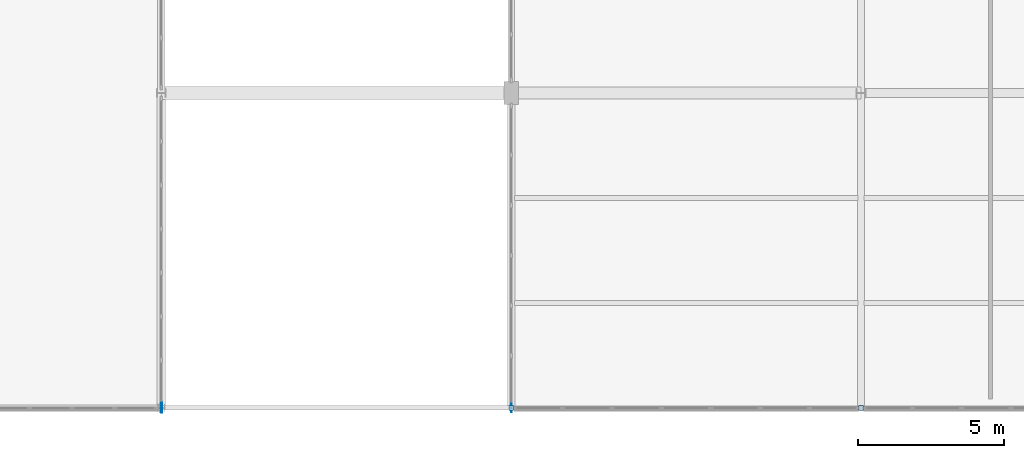
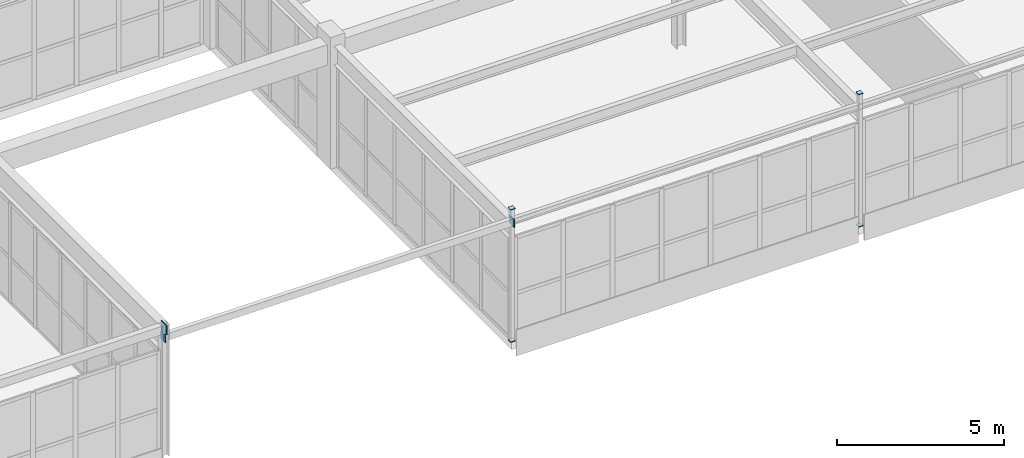
# One storey, part 145 of 186: 7 plates.
"""IFC4 building model written with IfcOpenShell, lengths in metres."""

from ifc_helpers import new_model, si_unit, direction, frame, origin, origin_2d, place, context, subcontext, project, spatial, rectangle, extrude, material, layer, layer_set, type_object, element, save


model = new_model("IFC4")

# Units and contexts
model_context = context("Model", 3, precision=1e-05, world=origin(), true_north=direction((0.0, 1.0)))
body_context = subcontext(model_context, "Body", "Model", "MODEL_VIEW")
ifc_project = project(units=[si_unit("LENGTHUNIT", "METRE"), si_unit("AREAUNIT", "SQUARE_METRE"), si_unit("VOLUMEUNIT", "CUBIC_METRE"), si_unit("PLANEANGLEUNIT", "RADIAN"), si_unit("MASSUNIT", "GRAM", prefix="KILO")], contexts=[model_context])

# Site, building, storey
site_placement = place(None, origin())
site = spatial("IfcSite", under=ifc_project, at=site_placement, CompositionType="ELEMENT")
building_placement = place(site_placement, origin())
building = spatial("IfcBuilding", under=site, at=building_placement, Name="Tarnwether General Hospital", CompositionType="ELEMENT")
storey_placement = place(building_placement, frame((0.0, 0.0, 9.60009765625)))
storey = spatial("IfcBuildingStorey", under=building, at=storey_placement, Name="L02", CompositionType="ELEMENT", Elevation=9.60009765625)

# Plates
ifc_material = material(Name="Steel Grade 350 (350 MPa)", Category="steel")
ifc_layer = layer(ifc_material, 0.02490234375)
ifc_layer_set = layer_set([ifc_layer], Name="Steel Grade 350 (350 MPa)")
plate_type = type_object("IfcPlateType", Name="PT-GUS2", PredefinedType="USERDEFINED", material=ifc_layer_set)
for number, where, z_axis, x_axis, name in (
    (1, (144.0, 0.0, -0.025146484375), (0.0, 0.0, 1.0), (1.0, 0.0, 0.0), "Hollow Section Welded End Cap Plate 0267"),
    (2, (144.0, 0.0, 4.800048828125), (0.0, 0.0, 1.0), (1.0, 0.0, 0.0), "Hollow Section Welded End Cap Plate 0268"),
    (3, (156.0, 0.0, -0.025146484375), (0.0, 0.0, 1.0), (1.0, 0.0, 0.0), "Hollow Section Welded End Cap Plate 0315"),
    (4, (156.0, 0.0, 4.800048828125), (0.0, 0.0, 1.0), (1.0, 0.0, 0.0), "Hollow Section Welded End Cap Plate 0316"),
):
    element("IfcPlate", number, at=place(storey_placement, frame(where, z_axis=z_axis, x_axis=x_axis)), inside=storey, type_object=plate_type, Name=name, ObjectType="GUSSET", PredefinedType="USERDEFINED", context=body_context, shape_type="SweptSolid", body=[
        extrude(rectangle(XDim=0.1650390625, YDim=0.1650390625, at=origin_2d()), origin(), (0.0, 0.0, 1.0), 0.02490234375),
    ])
plate_placement = place(storey_placement, frame((132.012451171875, 0.0, 4.47998046875), z_axis=(0.0, 0.0, 1.0), x_axis=(1.0, 0.0, 0.0)))
element("IfcPlate", 5, at=plate_placement, inside=storey, type_object=plate_type, Name="Hollow Section Welded End Cap Plate 0962", ObjectType="GUSSET", PredefinedType="USERDEFINED", context=body_context, shape_type="SweptSolid", body=[
    extrude(rectangle(XDim=0.02490234375, YDim=0.340087890625, at=origin_2d()), origin(), (0.0, 0.0, 1.0), 0.340087890625),
])
for number, where, z_axis, x_axis, name in (
    (6, (131.987548828125, 0.0, 4.1748046875), (0.0, 0.0, 1.0), (1.0, 0.0, 0.0), "Hollow Section Welded End Cap Plate 0963"),
    (7, (144.012451171875, 0.0, 4.1748046875), (0.0, 0.0, 1.0), (1.0, 0.0, 0.0), "Hollow Section Welded End Cap Plate 0964"),
):
    element("IfcPlate", number, at=place(storey_placement, frame(where, z_axis=z_axis, x_axis=x_axis)), inside=storey, type_object=plate_type, Name=name, ObjectType="GUSSET", PredefinedType="USERDEFINED", context=body_context, shape_type="SweptSolid", body=[
        extrude(rectangle(XDim=0.02490234375, YDim=0.2900390625, at=origin_2d()), origin(), (0.0, 0.0, 1.0), 0.2900390625),
    ])

save(model, "model.ifc")
